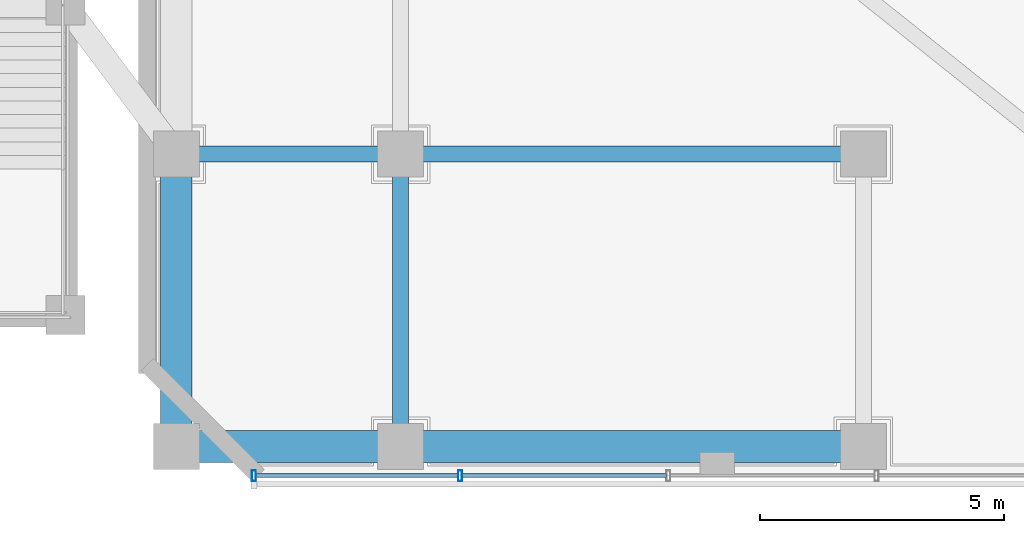
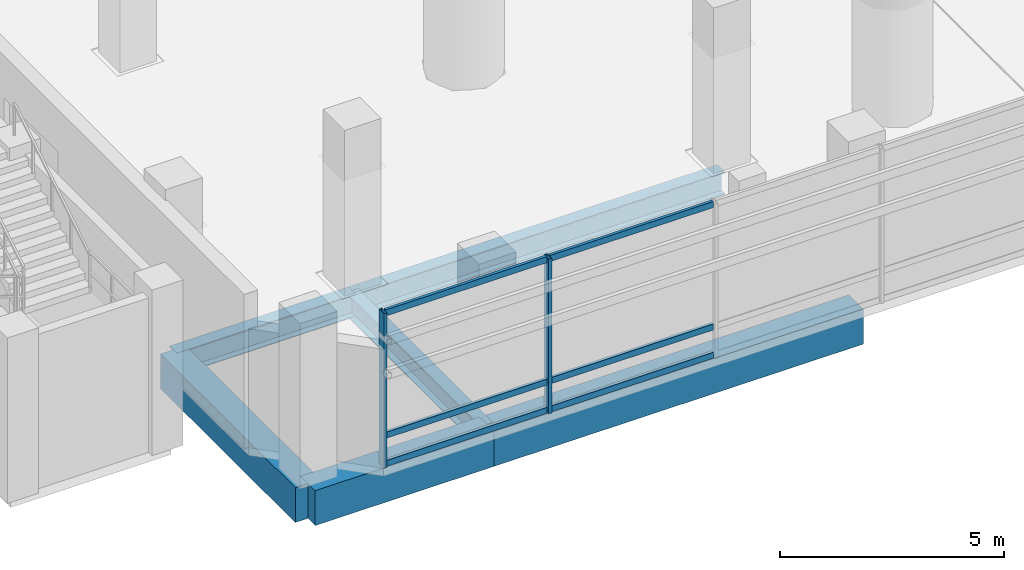
# One storey, part 2 of 36: 8 members, 6 beams, 1 element without a shape of its own.
"""IFC4 building model written with IfcOpenShell, lengths in metres."""

from ifc_helpers import new_model, si_unit, direction, frame, origin, origin_2d, place, context, subcontext, project, spatial, rectangle, hollow_rectangle, i_section, extrude, source, transform, mapped, material, material_profile, profile_set, type_object, element, aggregate, save


model = new_model("IFC4")

# Units and contexts
model_context = context("Model", 3, precision=1e-05, world=origin(), true_north=direction((-0.2419218956, 0.970295726276)))
body_context = subcontext(model_context, "Body", "Model", "MODEL_VIEW")
ifc_project = project(units=[si_unit("LENGTHUNIT", "METRE"), si_unit("AREAUNIT", "SQUARE_METRE"), si_unit("VOLUMEUNIT", "CUBIC_METRE"), si_unit("PLANEANGLEUNIT", "RADIAN"), si_unit("MASSUNIT", "GRAM", prefix="KILO")], contexts=[model_context])

# Site, building, storey
site_placement = place(None, origin())
site = spatial("IfcSite", under=ifc_project, at=site_placement, CompositionType="ELEMENT")
building_placement = place(site_placement, origin())
building = spatial("IfcBuilding", under=site, at=building_placement, Name="Cobrevalo Terracotta Tower", CompositionType="ELEMENT")
storey_placement = place(building_placement, frame((0.0, 0.0, 5.39990234375)))
storey = spatial("IfcBuildingStorey", under=building, at=storey_placement, Name="L01", CompositionType="ELEMENT", Elevation=5.39990234375)

# Beams
ifc_material_1 = material(Name="Steel S355", Category="steel")
ifc_material_profile_1 = material_profile(ifc_material_1, i_section(OverallWidth=0.324951171875, OverallDepth=0.615966796875, WebThickness=0.013916015625, FlangeThickness=0.021484375, at=origin_2d()), Name="W 610x174")
ifc_profile_set_1 = profile_set([ifc_material_profile_1], Name="Steel S355")
beam_type_1 = type_object("IfcBeamType", Name="Structural Beam W 610x174 (Steel S355)", PredefinedType="BEAM", material=ifc_profile_set_1)
beam_1_placement = place(storey_placement, frame((4.39990234375, 8.800048828125, -0.60791015625), z_axis=(1.0, 0.0, 0.0), x_axis=(0.0, 1.0, 0.0)))
element("IfcBeam", 1, at=beam_1_placement, inside=storey, type_object=beam_type_1, Name="L01 podium grid beam G1-GB to G2-GB", PredefinedType="BEAM", context=body_context, shape_type="SweptSolid", body=[
    extrude(i_section(OverallWidth=0.324951171875, OverallDepth=0.615966796875, WebThickness=0.013916015625, FlangeThickness=0.021484375, at=origin_2d()), origin(), (0.0, 0.0, 1.0), 4.60009765625),
])
beam_2_placement = place(storey_placement, frame((9.0, 2.800048828125, -0.60791015625), z_axis=(0.0, 1.0, 0.0), x_axis=(-1.0, 0.0, 0.0)))
element("IfcBeam", 2, at=beam_2_placement, inside=storey, type_object=beam_type_1, Name="L01 podium grid beam G2-GA to G2-GB", PredefinedType="BEAM", context=body_context, shape_type="SweptSolid", body=[
    extrude(i_section(OverallWidth=0.324951171875, OverallDepth=0.615966796875, WebThickness=0.013916015625, FlangeThickness=0.021484375, at=origin_2d()), origin(), (0.0, 0.0, 1.0), 6.0),
])
beam_3_placement = place(storey_placement, frame((9.0, 8.800048828125, -0.60791015625), z_axis=(1.0, 0.0, 0.0), x_axis=(0.0, 1.0, 0.0)))
element("IfcBeam", 3, at=beam_3_placement, inside=storey, type_object=beam_type_1, Name="L01 podium grid beam G2-GB to G3-GB", PredefinedType="BEAM", context=body_context, shape_type="SweptSolid", body=[
    extrude(i_section(OverallWidth=0.324951171875, OverallDepth=0.615966796875, WebThickness=0.013916015625, FlangeThickness=0.021484375, at=origin_2d()), origin(), (0.0, 0.0, 1.0), 9.5),
])
ifc_material_2 = material(Name="Concrete C50", Category="concrete")
ifc_material_profile_2 = material_profile(ifc_material_2, rectangle(XDim=0.64990234375, YDim=0.949951171875, at=origin_2d()), Name="RC BM 650x950")
ifc_profile_set_2 = profile_set([ifc_material_profile_2], Name="Concrete C50")
beam_type_2 = type_object("IfcBeamType", Name="Structural Spandrel RC BM 650x950 (Concrete C50)", PredefinedType="SPANDREL", material=ifc_profile_set_2)
beam_4_placement = place(storey_placement, frame((4.39990234375, 2.800048828125, -0.77490234375), z_axis=(0.0, 1.0, 0.0), x_axis=(-1.0, 0.0, 0.0)))
element("IfcBeam", 4, at=beam_4_placement, inside=storey, type_object=beam_type_2, Name="L01 podium grid beam G1-GA to G1-GB", PredefinedType="SPANDREL", context=body_context, shape_type="SweptSolid", body=[
    extrude(rectangle(XDim=0.64990234375, YDim=0.949951171875, at=origin_2d()), origin(), (0.0, 0.0, 1.0), 6.0),
])
beam_5_placement = place(storey_placement, frame((4.39990234375, 2.800048828125, -0.77490234375), z_axis=(1.0, 0.0, 0.0), x_axis=(0.0, 1.0, 0.0)))
element("IfcBeam", 5, at=beam_5_placement, inside=storey, type_object=beam_type_2, Name="L01 podium grid beam G1-GA to G2-GA", PredefinedType="SPANDREL", context=body_context, shape_type="SweptSolid", body=[
    extrude(rectangle(XDim=0.64990234375, YDim=0.949951171875, at=origin_2d()), origin(), (0.0, 0.0, 1.0), 4.60009765625),
])
beam_6_placement = place(storey_placement, frame((9.0, 2.800048828125, -0.77490234375), z_axis=(1.0, 0.0, 0.0), x_axis=(0.0, 1.0, 0.0)))
element("IfcBeam", 6, at=beam_6_placement, inside=storey, type_object=beam_type_2, Name="L01 podium grid beam G2-GA to G3-GA", PredefinedType="SPANDREL", context=body_context, shape_type="SweptSolid", body=[
    extrude(rectangle(XDim=0.64990234375, YDim=0.949951171875, at=origin_2d()), origin(), (0.0, 0.0, 1.0), 9.5),
])

# Curtain wall, members
ifc_material_3 = material(Name="Anodized aluminium", Category="aluminium")
curtain_wall_type = type_object("IfcCurtainWallType", Name="Double-height storefront stick curtain wall CW-S1", PredefinedType="NOTDEFINED", material=ifc_material_3)
curtain_wall_placement = place(storey_placement, origin())
curtain_wall = element("IfcCurtainWall", 7, at=curtain_wall_placement, inside=storey, type_object=curtain_wall_type, Name="L01 curtain wall CW-POD-L01-S", PredefinedType="NOTDEFINED")
ifc_material_profile_3 = material_profile(ifc_material_3, hollow_rectangle(XDim=0.080078125, YDim=0.219970703125, WallThickness=0.0048828125, at=origin_2d()), Name="CWM 80x220")
ifc_profile_set_3 = profile_set([ifc_material_profile_3], Name="Anodized aluminium")
member_type_1 = type_object("IfcMemberType", Name="Storefront & atrium aluminium mullion 80x220", PredefinedType="MULLION", material=ifc_profile_set_3)
shared_shape_1 = source(origin(), body_context, "Body", "SweptSolid", [
    extrude(hollow_rectangle(XDim=0.080078125, YDim=0.219970703125, WallThickness=0.0048828125, at=origin_2d()), origin(), (0.0, 0.0, 1.0), 4.2001953125),
])
member_1_placement = place(storey_placement, frame((5.989990234375, 2.199951171875, 0.0), z_axis=(0.0, 0.0, 1.0), x_axis=(1.0, 0.0, 0.0)))
member_1 = element("IfcMember", 8, at=member_1_placement, type_object=member_type_1, Name="CW-POD-L01-S vertical mullion 01", PredefinedType="MULLION", context=body_context, shape_type="MappedRepresentation", body=[
    mapped(shared_shape_1, transform((0.0, 0.0, 0.0), scale=1.0)),
])
member_2_placement = place(storey_placement, frame((10.223388671875, 2.199951171875, 0.0), z_axis=(0.0, 0.0, 1.0), x_axis=(1.0, 0.0, 0.0)))
member_2 = element("IfcMember", 9, at=member_2_placement, type_object=member_type_1, Name="CW-POD-L01-S vertical mullion 02", PredefinedType="MULLION", context=body_context, shape_type="MappedRepresentation", body=[
    mapped(shared_shape_1, transform((0.0, 0.0, 0.0), scale=1.0)),
])
ifc_material_profile_4 = material_profile(ifc_material_3, hollow_rectangle(XDim=0.080078125, YDim=0.1650390625, WallThickness=0.00439453125, at=origin_2d()), Name="CWT 80x165")
ifc_profile_set_4 = profile_set([ifc_material_profile_4], Name="Anodized aluminium")
member_type_2 = type_object("IfcMemberType", Name="Storefront & atrium aluminium transom 80x165", PredefinedType="USERDEFINED", material=ifc_profile_set_4)
shared_shape_2 = source(origin(), body_context, "Body", "SweptSolid", [
    extrude(hollow_rectangle(XDim=0.080078125, YDim=0.1650390625, WallThickness=0.00439453125, at=origin_2d()), origin(), (0.0, 0.0, 1.0), 4.1533203125),
])
member_3_placement = place(storey_placement, frame((6.030029296875, 2.199951171875, 0.050048828125), z_axis=(1.0, 0.0, 0.0), x_axis=(0.0, 1.0, 0.0)))
member_3 = element("IfcMember", 10, at=member_3_placement, type_object=member_type_2, Name="CW-POD-L01-S transom B01-T1", ObjectType="TRANSOM", PredefinedType="USERDEFINED", context=body_context, shape_type="MappedRepresentation", body=[
    mapped(shared_shape_2, transform((0.0, 0.0, 0.0), scale=1.0)),
])
member_4_placement = place(storey_placement, frame((6.030029296875, 2.199951171875, 0.820068359375), z_axis=(1.0, 0.0, 0.0), x_axis=(0.0, 1.0, 0.0)))
member_4 = element("IfcMember", 11, at=member_4_placement, type_object=member_type_2, Name="CW-POD-L01-S transom B01-T2", ObjectType="TRANSOM", PredefinedType="USERDEFINED", context=body_context, shape_type="MappedRepresentation", body=[
    mapped(shared_shape_2, transform((0.0, 0.0, 0.0), scale=1.0)),
])
member_5_placement = place(storey_placement, frame((6.030029296875, 2.199951171875, 4.150146484375), z_axis=(1.0, 0.0, 0.0), x_axis=(0.0, 1.0, 0.0)))
member_5 = element("IfcMember", 12, at=member_5_placement, type_object=member_type_2, Name="CW-POD-L01-S transom B01-T3", ObjectType="TRANSOM", PredefinedType="USERDEFINED", context=body_context, shape_type="MappedRepresentation", body=[
    mapped(shared_shape_2, transform((0.0, 0.0, 0.0), scale=1.0)),
])
shared_shape_3 = source(origin(), body_context, "Body", "SweptSolid", [
    extrude(hollow_rectangle(XDim=0.080078125, YDim=0.1650390625, WallThickness=0.00439453125, at=origin_2d()), origin(), (0.0, 0.0, 1.0), 4.193359375),
])
member_6_placement = place(storey_placement, frame((10.263427734375, 2.199951171875, 0.050048828125), z_axis=(1.0, 0.0, 0.0), x_axis=(0.0, 1.0, 0.0)))
member_6 = element("IfcMember", 13, at=member_6_placement, type_object=member_type_2, Name="CW-POD-L01-S transom B02-T1", ObjectType="TRANSOM", PredefinedType="USERDEFINED", context=body_context, shape_type="MappedRepresentation", body=[
    mapped(shared_shape_3, transform((0.0, 0.0, 0.0), scale=1.0)),
])
member_7_placement = place(storey_placement, frame((10.263427734375, 2.199951171875, 0.820068359375), z_axis=(1.0, 0.0, 0.0), x_axis=(0.0, 1.0, 0.0)))
member_7 = element("IfcMember", 14, at=member_7_placement, type_object=member_type_2, Name="CW-POD-L01-S transom B02-T2", ObjectType="TRANSOM", PredefinedType="USERDEFINED", context=body_context, shape_type="MappedRepresentation", body=[
    mapped(shared_shape_3, transform((0.0, 0.0, 0.0), scale=1.0)),
])
member_8_placement = place(storey_placement, frame((10.263427734375, 2.199951171875, 4.150146484375), z_axis=(1.0, 0.0, 0.0), x_axis=(0.0, 1.0, 0.0)))
member_8 = element("IfcMember", 15, at=member_8_placement, type_object=member_type_2, Name="CW-POD-L01-S transom B02-T3", ObjectType="TRANSOM", PredefinedType="USERDEFINED", context=body_context, shape_type="MappedRepresentation", body=[
    mapped(shared_shape_3, transform((0.0, 0.0, 0.0), scale=1.0)),
])
aggregate(curtain_wall, [member_1, member_2, member_3, member_4, member_5, member_6, member_7, member_8])

save(model, "model.ifc")
